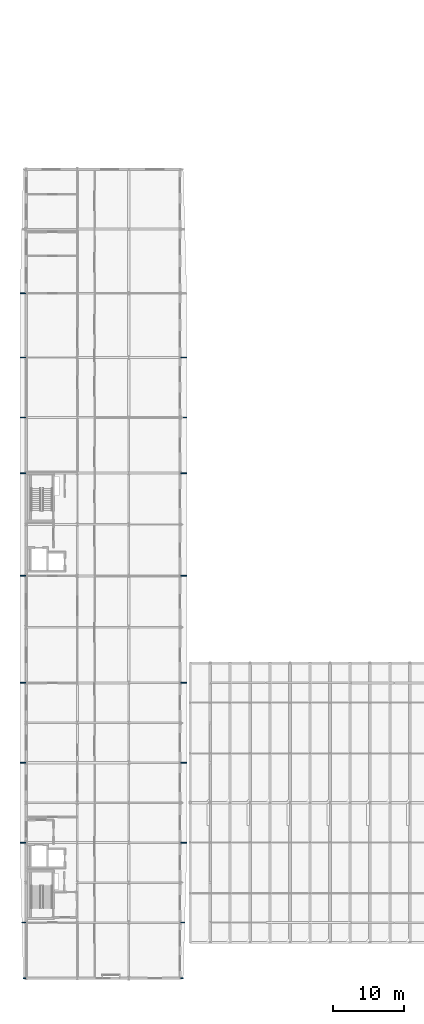
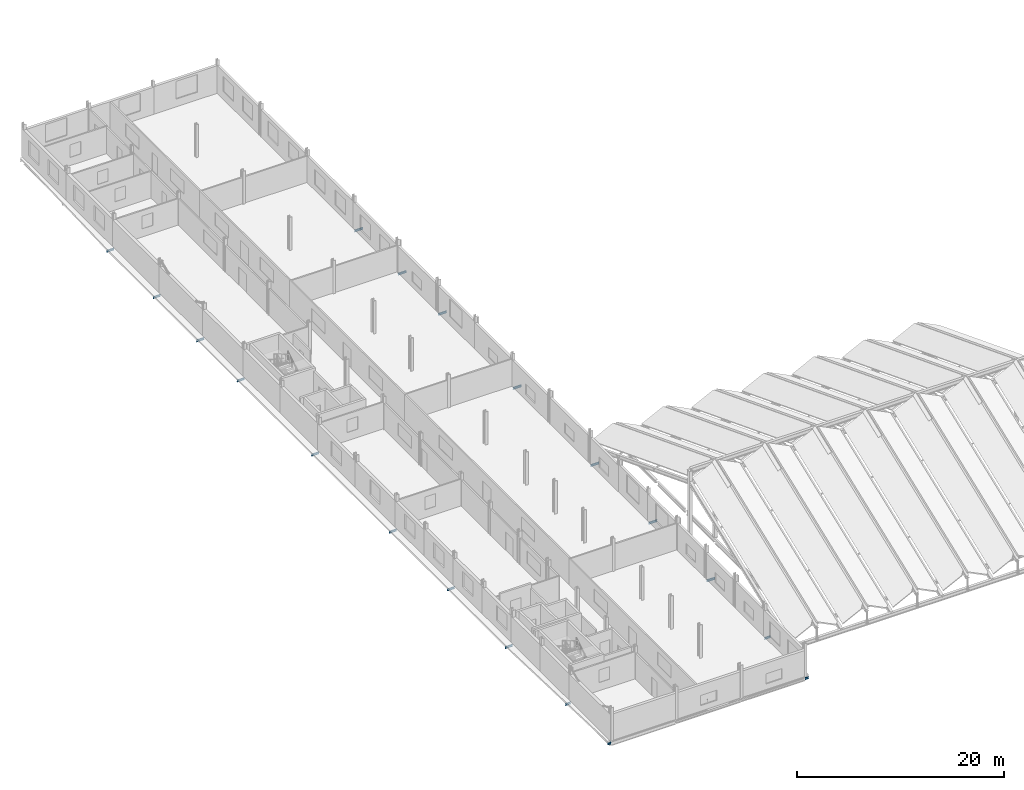
# One storey, part 26 of 49: 19 beams.
"""IFC4 building model written with IfcOpenShell, lengths in metres."""

from ifc_helpers import new_model, si_unit, direction, frame, origin, origin_2d, place, context, subcontext, project, spatial, i_section, extrude, material, material_profile, profile_set, type_object, element, save


model = new_model("IFC4")

# Units and contexts
model_context = context("Model", 3, precision=1e-05, world=origin(), true_north=direction((0.0, 1.0)))
body_context = subcontext(model_context, "Body", "Model", "MODEL_VIEW")
ifc_project = project(units=[si_unit("LENGTHUNIT", "METRE"), si_unit("AREAUNIT", "SQUARE_METRE"), si_unit("VOLUMEUNIT", "CUBIC_METRE"), si_unit("PLANEANGLEUNIT", "RADIAN"), si_unit("MASSUNIT", "GRAM", prefix="KILO")], contexts=[model_context])

# Site, building, storey
site_placement = place(None, origin())
site = spatial("IfcSite", under=ifc_project, at=site_placement, CompositionType="ELEMENT")
building_placement = place(site_placement, origin())
building = spatial("IfcBuilding", under=site, at=building_placement, Name="Vinh Khe Railworks Police Headquarters", CompositionType="ELEMENT")
storey_placement = place(building_placement, frame((0.0, 0.0, 17.10009765625)))
storey = spatial("IfcBuildingStorey", under=building, at=storey_placement, Name="L04", CompositionType="ELEMENT", Elevation=17.10009765625)

# Beams
ifc_material = material(Name="Steel S355JR", Category="steel")
ifc_material_profile = material_profile(ifc_material, i_section(OverallWidth=0.1201171875, OverallDepth=0.239990234375, WebThickness=0.006103515625, FlangeThickness=0.009765625, FilletRadius=0.014892578125, at=origin_2d()), Name="IPE 240")
ifc_profile_set = profile_set([ifc_material_profile], Name="Steel S355JR")
beam_type = type_object("IfcBeamType", Name="Monsoon Hood Outrigger IPE 240", PredefinedType="BEAM", material=ifc_profile_set)
beam_1_placement = place(storey_placement, frame((0.21142578125, 17.39990234375, -0.360107421875), z_axis=(1.0, 0.0, 0.0), x_axis=(0.0, 1.0, 0.0)))
element("IfcBeam", 1, at=beam_1_placement, inside=storey, type_object=beam_type, Name="Monsoon Sun-Hood Outrigger L04-061", PredefinedType="BEAM", context=body_context, shape_type="SweptSolid", body=[
    extrude(i_section(OverallWidth=0.1201171875, OverallDepth=0.239990234375, WebThickness=0.006103515625, FlangeThickness=0.009765625, FilletRadius=0.014892578125, at=origin_2d()), origin(), (0.0, 0.0, 1.0), 0.388671875),
])
beam_2_placement = place(storey_placement, frame((0.01318359375, 25.199951171875, -0.360107421875), z_axis=(1.0, 0.0, 0.0), x_axis=(0.0, 1.0, 0.0)))
element("IfcBeam", 2, at=beam_2_placement, inside=storey, type_object=beam_type, Name="Monsoon Sun-Hood Outrigger L04-062", PredefinedType="BEAM", context=body_context, shape_type="SweptSolid", body=[
    extrude(i_section(OverallWidth=0.1201171875, OverallDepth=0.239990234375, WebThickness=0.006103515625, FlangeThickness=0.009765625, FilletRadius=0.014892578125, at=origin_2d()), origin(), (0.0, 0.0, 1.0), 0.5869140625),
])
for number, where, z_axis, x_axis, name in (
    (3, (-0.25, 36.39990234375, -0.360107421875), (1.0, 0.0, 0.0), (0.0, 1.0, 0.0), "Monsoon Sun-Hood Outrigger L04-063"),
    (4, (-0.25, 47.60009765625, -0.360107421875), (1.0, 0.0, 0.0), (0.0, 1.0, 0.0), "Monsoon Sun-Hood Outrigger L04-064"),
    (5, (-0.25, 58.800048828125, -0.360107421875), (1.0, 0.0, 0.0), (0.0, 1.0, 0.0), "Monsoon Sun-Hood Outrigger L04-065"),
    (6, (-0.25, 73.800048828125, -0.360107421875), (1.0, 0.0, 0.0), (0.0, 1.0, 0.0), "Monsoon Sun-Hood Outrigger L04-066"),
    (7, (-0.25, 88.199951171875, -0.360107421875), (1.0, 0.0, 0.0), (0.0, 1.0, 0.0), "Monsoon Sun-Hood Outrigger L04-067"),
    (8, (-0.25, 96.0, -0.360107421875), (1.0, 0.0, 0.0), (0.0, 1.0, 0.0), "Monsoon Sun-Hood Outrigger L04-068"),
    (9, (-0.25, 104.39990234375, -0.360107421875), (1.0, 0.0, 0.0), (0.0, 1.0, 0.0), "Monsoon Sun-Hood Outrigger L04-069"),
):
    element("IfcBeam", number, at=place(storey_placement, frame(where, z_axis=z_axis, x_axis=x_axis)), inside=storey, type_object=beam_type, Name=name, PredefinedType="BEAM", context=body_context, shape_type="SweptSolid", body=[
        extrude(i_section(OverallWidth=0.1201171875, OverallDepth=0.239990234375, WebThickness=0.006103515625, FlangeThickness=0.009765625, FilletRadius=0.014892578125, at=origin_2d()), origin(), (0.0, 0.0, 1.0), 0.85009765625),
    ])
beam_3_placement = place(storey_placement, frame((-0.231201171875, 113.39990234375, -0.360107421875), z_axis=(1.0, 0.0, 0.0), x_axis=(0.0, 1.0, 0.0)))
element("IfcBeam", 10, at=beam_3_placement, inside=storey, type_object=beam_type, Name="Monsoon Sun-Hood Outrigger L04-070", PredefinedType="BEAM", context=body_context, shape_type="SweptSolid", body=[
    extrude(i_section(OverallWidth=0.1201171875, OverallDepth=0.239990234375, WebThickness=0.006103515625, FlangeThickness=0.009765625, FilletRadius=0.014892578125, at=origin_2d()), origin(), (0.0, 0.0, 1.0), 0.831298828125),
])
beam_4_placement = place(storey_placement, frame((22.199951171875, 17.39990234375, -0.360107421875), z_axis=(1.0, 0.0, 0.0), x_axis=(0.0, 1.0, 0.0)))
element("IfcBeam", 11, at=beam_4_placement, inside=storey, type_object=beam_type, Name="Monsoon Sun-Hood Outrigger L04-073", PredefinedType="BEAM", context=body_context, shape_type="SweptSolid", body=[
    extrude(i_section(OverallWidth=0.1201171875, OverallDepth=0.239990234375, WebThickness=0.006103515625, FlangeThickness=0.009765625, FilletRadius=0.014892578125, at=origin_2d()), origin(), (0.0, 0.0, 1.0), 0.423583984375),
])
beam_5_placement = place(storey_placement, frame((22.199951171875, 25.199951171875, -0.360107421875), z_axis=(1.0, 0.0, 0.0), x_axis=(0.0, 1.0, 0.0)))
element("IfcBeam", 12, at=beam_5_placement, inside=storey, type_object=beam_type, Name="Monsoon Sun-Hood Outrigger L04-074", PredefinedType="BEAM", context=body_context, shape_type="SweptSolid", body=[
    extrude(i_section(OverallWidth=0.1201171875, OverallDepth=0.239990234375, WebThickness=0.006103515625, FlangeThickness=0.009765625, FilletRadius=0.014892578125, at=origin_2d()), origin(), (0.0, 0.0, 1.0), 0.64990234375),
])
for number, where, z_axis, x_axis, name in (
    (13, (22.199951171875, 36.39990234375, -0.360107421875), (1.0, 0.0, 0.0), (0.0, 1.0, 0.0), "Monsoon Sun-Hood Outrigger L04-075"),
    (14, (22.199951171875, 47.60009765625, -0.360107421875), (1.0, 0.0, 0.0), (0.0, 1.0, 0.0), "Monsoon Sun-Hood Outrigger L04-076"),
    (15, (22.199951171875, 58.800048828125, -0.360107421875), (1.0, 0.0, 0.0), (0.0, 1.0, 0.0), "Monsoon Sun-Hood Outrigger L04-077"),
    (16, (22.199951171875, 73.800048828125, -0.360107421875), (1.0, 0.0, 0.0), (0.0, 1.0, 0.0), "Monsoon Sun-Hood Outrigger L04-078"),
    (17, (22.199951171875, 88.199951171875, -0.360107421875), (1.0, 0.0, 0.0), (0.0, 1.0, 0.0), "Monsoon Sun-Hood Outrigger L04-079"),
    (18, (22.199951171875, 96.0, -0.360107421875), (1.0, 0.0, 0.0), (0.0, 1.0, 0.0), "Monsoon Sun-Hood Outrigger L04-080"),
    (19, (22.199951171875, 104.39990234375, -0.360107421875), (1.0, 0.0, 0.0), (0.0, 1.0, 0.0), "Monsoon Sun-Hood Outrigger L04-081"),
):
    element("IfcBeam", number, at=place(storey_placement, frame(where, z_axis=z_axis, x_axis=x_axis)), inside=storey, type_object=beam_type, Name=name, PredefinedType="BEAM", context=body_context, shape_type="SweptSolid", body=[
        extrude(i_section(OverallWidth=0.1201171875, OverallDepth=0.239990234375, WebThickness=0.006103515625, FlangeThickness=0.009765625, FilletRadius=0.014892578125, at=origin_2d()), origin(), (0.0, 0.0, 1.0), 0.949951171875),
    ])

save(model, "model.ifc")
